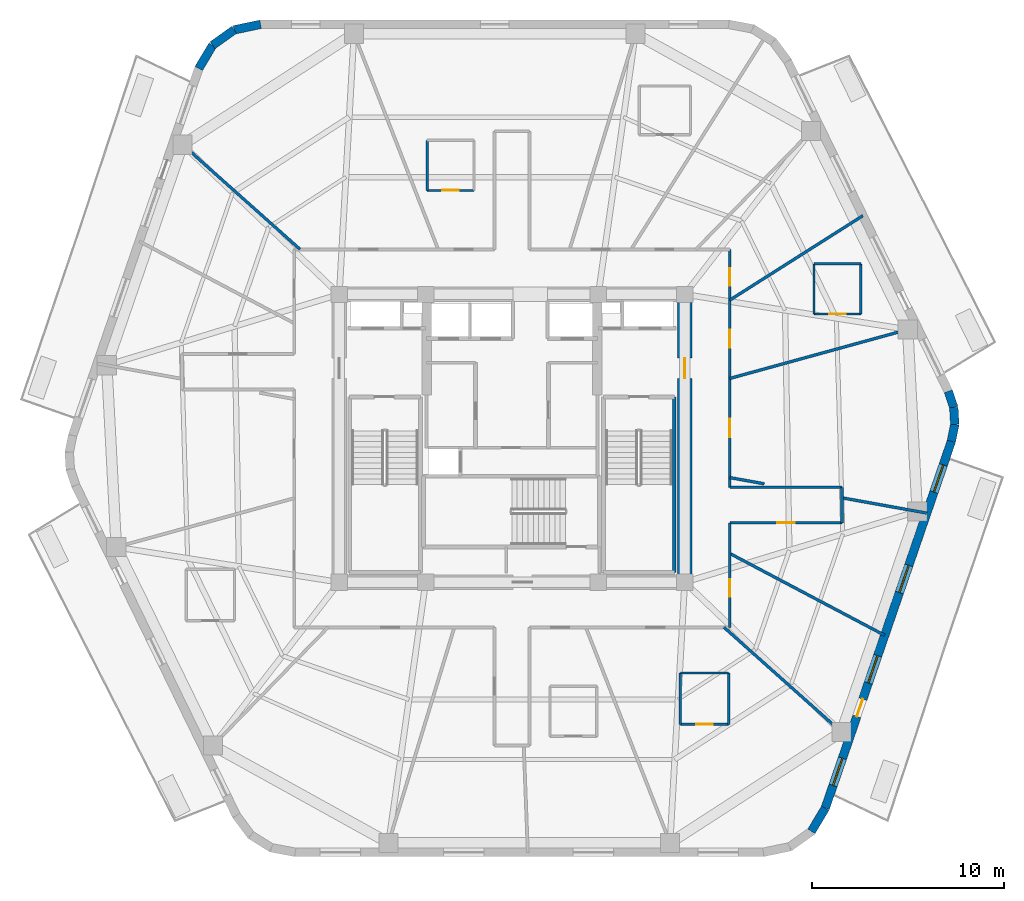
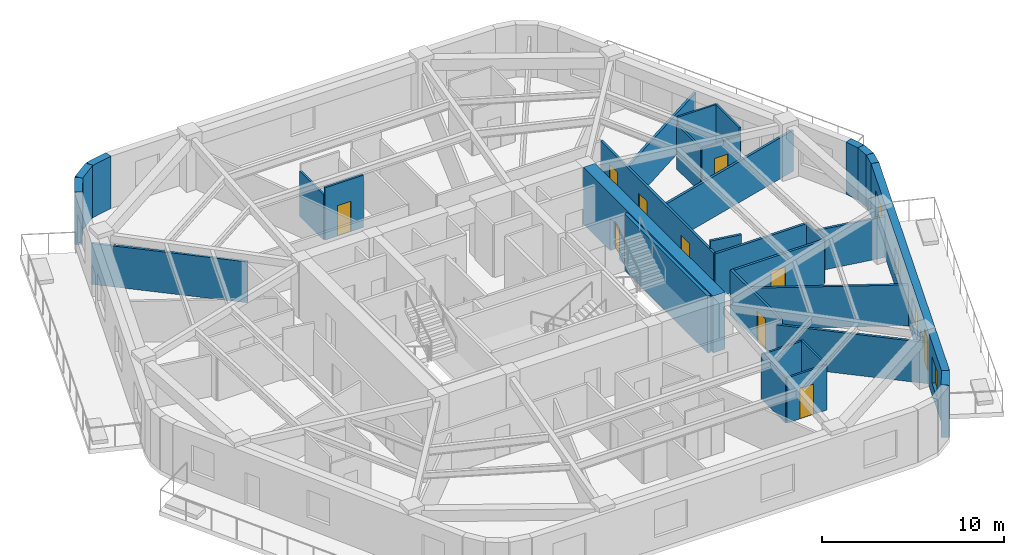
# One storey, part 5 of 9: 32 walls, 10 doors, 4 windows, 14 openings.
"""IFC4 building model written with IfcOpenShell, lengths in metres."""

from ifc_helpers import new_model, si_unit, direction, frame, frame_2d, origin, place, context, subcontext, project, spatial, rectangle, extrude, material, layer, layer_set, type_object, element, fill, save


model = new_model("IFC4")

# Units and contexts
model_context = context("Model", 3, precision=1e-05, world=origin(), true_north=direction((0.0, 1.0)))
body_context = subcontext(model_context, "Body", "Model", "MODEL_VIEW")
ifc_project = project(units=[si_unit("LENGTHUNIT", "METRE"), si_unit("AREAUNIT", "SQUARE_METRE"), si_unit("VOLUMEUNIT", "CUBIC_METRE"), si_unit("PLANEANGLEUNIT", "RADIAN"), si_unit("MASSUNIT", "GRAM", prefix="KILO")], contexts=[model_context])

# Site, building, storey
site_placement = place(None, origin())
site = spatial("IfcSite", under=ifc_project, at=site_placement, CompositionType="ELEMENT")
building_placement = place(site_placement, origin())
building = spatial("IfcBuilding", under=site, at=building_placement, Name="Kilnhurst Terrace Hotel", CompositionType="ELEMENT")
storey_placement = place(building_placement, frame((0.0, 0.0, 240.699951171875)))
storey = spatial("IfcBuildingStorey", under=building, at=storey_placement, Name="L60", CompositionType="ELEMENT", Elevation=240.699951171875)

# Walls
ifc_material_1 = material(Name="Precast concrete C40/50", Category="concrete")
ifc_layer_1 = layer(ifc_material_1, 0.449951171875, Name="Precast concrete C40/50")
ifc_layer_set_1 = layer_set([ifc_layer_1], Name="Precast concrete C40/50")
wall_type_1 = type_object("IfcWallType", Name="WL-BRK-450", PredefinedType="SOLIDWALL", material=ifc_layer_set_1)
wall_1_placement = place(storey_placement, frame((15.603515625, -20.483154296875, 0.0), z_axis=(0.0, 0.0, 1.0), x_axis=(0.512222149036, 0.858852996756, 0.0)))
element("IfcWall", 1, at=wall_1_placement, inside=storey, type_object=wall_type_1, Name="L60 Rounded Corner Brick Wall C2.3", PredefinedType="SOLIDWALL", context=body_context, shape_type="SweptSolid", body=[
    extrude(rectangle(XDim=1.406494140625, YDim=0.449951171875, at=frame_2d((0.703125, 0.0))), origin(), (0.0, 0.0, 1.0), 3.5),
])
wall_2_placement = place(storey_placement, frame((22.8984375, -0.149658203125, 0.0), z_axis=(0.0, 0.0, 1.0), x_axis=(0.199055826889, 0.979988151858, 0.0)))
element("IfcWall", 2, at=wall_2_placement, inside=storey, type_object=wall_type_1, Name="L60 Rounded Corner Brick Wall C3.1", PredefinedType="SOLIDWALL", context=body_context, shape_type="SweptSolid", body=[
    extrude(rectangle(XDim=0.89404296875, YDim=0.449951171875, at=frame_2d((0.447021484375, 0.0))), origin(), (0.0, 0.0, 1.0), 3.5),
])
wall_3_placement = place(storey_placement, frame((23.076416015625, 0.7265625, 0.0), z_axis=(0.0, 0.0, 1.0), x_axis=(-0.060805222108, 0.998149650586, 0.0)))
element("IfcWall", 3, at=wall_3_placement, inside=storey, type_object=wall_type_1, Name="L60 Rounded Corner Brick Wall C3.2", PredefinedType="SOLIDWALL", context=body_context, shape_type="SweptSolid", body=[
    extrude(rectangle(XDim=0.87939453125, YDim=0.449951171875, at=frame_2d((0.439697265625, 0.0))), origin(), (0.0, 0.0, 1.0), 3.5),
])
wall_4_placement = place(storey_placement, frame((23.02294921875, 1.604248046875, 0.0), z_axis=(0.0, 0.0, 1.0), x_axis=(-0.316801227695, 0.948491951537, 0.0)))
element("IfcWall", 4, at=wall_4_placement, inside=storey, type_object=wall_type_1, Name="L60 Rounded Corner Brick Wall C3.3", PredefinedType="SOLIDWALL", context=body_context, shape_type="SweptSolid", body=[
    extrude(rectangle(XDim=0.89404296875, YDim=0.449951171875, at=frame_2d((0.447021484375, 0.0))), origin(), (0.0, 0.0, 1.0), 3.5),
])
wall_5_placement = place(storey_placement, frame((-13.1015625, 21.574951171875, 0.0), z_axis=(0.0, 0.0, 1.0), x_axis=(-0.978757421505, -0.205021730188, 0.0)))
element("IfcWall", 5, at=wall_5_placement, inside=storey, type_object=wall_type_1, Name="L60 Rounded Corner Brick Wall C5.1", PredefinedType="SOLIDWALL", context=body_context, shape_type="SweptSolid", body=[
    extrude(rectangle(XDim=1.40625, YDim=0.449951171875, at=frame_2d((0.703125, 0.0))), origin(), (0.0, 0.0, 1.0), 3.5),
])
wall_6_placement = place(storey_placement, frame((-14.47802734375, 21.28662109375, 0.0), z_axis=(0.0, 0.0, 1.0), x_axis=(-0.813888518617, -0.58102106611, 0.0)))
element("IfcWall", 6, at=wall_6_placement, inside=storey, type_object=wall_type_1, Name="L60 Rounded Corner Brick Wall C5.2", PredefinedType="SOLIDWALL", context=body_context, shape_type="SweptSolid", body=[
    extrude(rectangle(XDim=1.3828125, YDim=0.449951171875, at=frame_2d((0.69140625, 0.0))), origin(), (0.0, 0.0, 1.0), 3.5),
])
wall_7_placement = place(storey_placement, frame((-15.603515625, 20.483154296875, 0.0), z_axis=(0.0, 0.0, 1.0), x_axis=(-0.512222149036, -0.858852996756, 0.0)))
element("IfcWall", 7, at=wall_7_placement, inside=storey, type_object=wall_type_1, Name="L60 Rounded Corner Brick Wall C5.3", PredefinedType="SOLIDWALL", context=body_context, shape_type="SweptSolid", body=[
    extrude(rectangle(XDim=1.406494140625, YDim=0.449951171875, at=frame_2d((0.703125, 0.0))), origin(), (0.0, 0.0, 1.0), 3.5),
])

# Wall, openings, door, windows
wall_8_placement = place(storey_placement, frame((16.323974609375, -19.275146484375, 0.0), z_axis=(0.0, 0.0, 1.0), x_axis=(0.325083142304, 0.945685439557, 0.0)))
wall_8 = element("IfcWall", 8, at=wall_8_placement, inside=storey, type_object=wall_type_1, Name="L60 Exterior Brick Facade Wall F2", PredefinedType="SOLIDWALL", context=body_context, shape_type="SweptSolid", body=[
    extrude(rectangle(XDim=20.223876953125, YDim=0.449951171875, at=frame_2d((10.11181640625, 0.0))), origin(), (0.0, 0.0, 1.0), 3.5),
])
opening_1_placement = place(wall_8_placement, frame((5.06201171875, 0.0, 0.0)))
opening_1 = element("IfcOpeningElement", 9, at=opening_1_placement, cuts=wall_8, Name="Opening BD-950", PredefinedType="OPENING", context=body_context, shape_type="SweptSolid", body=[
    extrude(rectangle(XDim=0.949951171875, YDim=2.14990234375, at=frame_2d((0.47509765625, 1.074951171875))), frame((0.0, 0.23486328125, 0.0), z_axis=(0.0, -1.0, 0.0), x_axis=(1.0, 0.0, 0.0)), (0.0, 0.0, 1.0), 0.469970703125),
])
opening_2_placement = place(wall_8_placement, frame((1.2529296875, 0.0, 0.800048828125)))
opening_2 = element("IfcOpeningElement", 10, at=opening_2_placement, cuts=wall_8, Name="Opening W-02", PredefinedType="OPENING", context=body_context, shape_type="SweptSolid", body=[
    extrude(rectangle(XDim=1.5, YDim=1.800048828125, at=frame_2d((0.75, 0.89990234375))), frame((0.0, 0.23486328125, 0.0), z_axis=(0.0, -1.0, 0.0), x_axis=(1.0, 0.0, 0.0)), (0.0, 0.0, 1.0), 0.469970703125),
])
opening_3_placement = place(wall_8_placement, frame((6.904052734375, 0.0, 0.800048828125)))
opening_3 = element("IfcOpeningElement", 11, at=opening_3_placement, cuts=wall_8, Name="Opening W-02", PredefinedType="OPENING", context=body_context, shape_type="SweptSolid", body=[
    extrude(rectangle(XDim=1.5, YDim=1.800048828125, at=frame_2d((0.75, 0.89990234375))), frame((0.0, 0.23486328125, 0.0), z_axis=(0.0, -1.0, 0.0), x_axis=(1.0, 0.0, 0.0)), (0.0, 0.0, 1.0), 0.469970703125),
])
opening_4_placement = place(wall_8_placement, frame((11.885009765625, 0.0, 0.800048828125)))
opening_4 = element("IfcOpeningElement", 12, at=opening_4_placement, cuts=wall_8, Name="Opening W-02", PredefinedType="OPENING", context=body_context, shape_type="SweptSolid", body=[
    extrude(rectangle(XDim=1.5, YDim=1.800048828125, at=frame_2d((0.75, 0.89990234375))), frame((0.0, 0.23486328125, 0.0), z_axis=(0.0, -1.0, 0.0), x_axis=(1.0, 0.0, 0.0)), (0.0, 0.0, 1.0), 0.469970703125),
])
opening_5_placement = place(wall_8_placement, frame((17.41796875, 0.0, 0.800048828125)))
opening_5 = element("IfcOpeningElement", 13, at=opening_5_placement, cuts=wall_8, Name="Opening W-02", PredefinedType="OPENING", context=body_context, shape_type="SweptSolid", body=[
    extrude(rectangle(XDim=1.5, YDim=1.800048828125, at=frame_2d((0.75, 0.89990234375))), frame((0.0, 0.23486328125, 0.0), z_axis=(0.0, -1.0, 0.0), x_axis=(1.0, 0.0, 0.0)), (0.0, 0.0, 1.0), 0.469970703125),
])
ifc_material_2 = material(Name="Thermally Broken Bronze Aluminium Alloy 6063-T6 and Laminated Glass", Category="aluminium")
door_type_1 = type_object("IfcDoorType", Name="DR-EXT-BAL-950", OperationType="NOTDEFINED", PredefinedType="DOOR", material=ifc_material_2)
door_1_placement = place(opening_1_placement, origin())
door_1 = element("IfcDoor", 14, at=door_1_placement, inside=storey, type_object=door_type_1, Name="L60 Planted Balcony Door BAL-L1A", OperationType="SINGLE_SWING_RIGHT", OverallHeight=2.14990234375, OverallWidth=0.949951171875, PredefinedType="DOOR", context=body_context, shape_type="SweptSolid", body=[
    extrude(rectangle(XDim=0.949951171875, YDim=2.14990234375, at=frame_2d((0.47509765625, 1.074951171875))), frame((0.0, 0.02490234375, 0.0), z_axis=(0.0, -1.0, 0.0), x_axis=(1.0, 0.0, 0.0)), (0.0, 0.0, 1.0), 0.050048828125),
])
fill(opening_1, door_1)
ifc_material_3 = material(Name="Thermally Broken Bronze Aluminium Alloy 6063-T6 and Low-E Glass", Category="aluminium")
window_type = type_object("IfcWindowType", Name="WIN-1500X1800", PartitioningType="SINGLE_PANEL", PredefinedType="WINDOW", material=ifc_material_3)
window_1_placement = place(opening_2_placement, origin())
window_1 = element("IfcWindow", 15, at=window_1_placement, inside=storey, type_object=window_type, Name="L60 Deep-Set Masonry Window F2.1", OverallHeight=1.800048828125, OverallWidth=1.5, PartitioningType="SINGLE_PANEL", PredefinedType="WINDOW", context=body_context, shape_type="SweptSolid", body=[
    extrude(rectangle(XDim=1.5, YDim=1.800048828125, at=frame_2d((0.75, 0.89990234375))), frame((0.0, 0.030029296875, 0.0), z_axis=(0.0, -1.0, 0.0), x_axis=(1.0, 0.0, 0.0)), (0.0, 0.0, 1.0), 0.06005859375),
])
fill(opening_2, window_1)
window_2_placement = place(opening_3_placement, origin())
window_2 = element("IfcWindow", 16, at=window_2_placement, inside=storey, type_object=window_type, Name="L60 Deep-Set Masonry Window F2.2", OverallHeight=1.800048828125, OverallWidth=1.5, PartitioningType="SINGLE_PANEL", PredefinedType="WINDOW", context=body_context, shape_type="SweptSolid", body=[
    extrude(rectangle(XDim=1.5, YDim=1.800048828125, at=frame_2d((0.75, 0.89990234375))), frame((0.0, 0.030029296875, 0.0), z_axis=(0.0, -1.0, 0.0), x_axis=(1.0, 0.0, 0.0)), (0.0, 0.0, 1.0), 0.06005859375),
])
fill(opening_3, window_2)
window_3_placement = place(opening_4_placement, origin())
window_3 = element("IfcWindow", 17, at=window_3_placement, inside=storey, type_object=window_type, Name="L60 Deep-Set Masonry Window F2.3", OverallHeight=1.800048828125, OverallWidth=1.5, PartitioningType="SINGLE_PANEL", PredefinedType="WINDOW", context=body_context, shape_type="SweptSolid", body=[
    extrude(rectangle(XDim=1.5, YDim=1.800048828125, at=frame_2d((0.75, 0.89990234375))), frame((0.0, 0.030029296875, 0.0), z_axis=(0.0, -1.0, 0.0), x_axis=(1.0, 0.0, 0.0)), (0.0, 0.0, 1.0), 0.06005859375),
])
fill(opening_4, window_3)
window_4_placement = place(opening_5_placement, origin())
window_4 = element("IfcWindow", 18, at=window_4_placement, inside=storey, type_object=window_type, Name="L60 Deep-Set Masonry Window F2.4", OverallHeight=1.800048828125, OverallWidth=1.5, PartitioningType="SINGLE_PANEL", PredefinedType="WINDOW", context=body_context, shape_type="SweptSolid", body=[
    extrude(rectangle(XDim=1.5, YDim=1.800048828125, at=frame_2d((0.75, 0.89990234375))), frame((0.0, 0.030029296875, 0.0), z_axis=(0.0, -1.0, 0.0), x_axis=(1.0, 0.0, 0.0)), (0.0, 0.0, 1.0), 0.06005859375),
])
fill(opening_5, window_4)

# Wall, openings, doors
ifc_material_4 = material(Name="Acoustic Double-Gypsum Corridor Partition Assembly")
ifc_layer_2 = layer(ifc_material_4, 0.14990234375, Name="Acoustic Double-Gypsum Corridor Partition Assembly")
ifc_layer_set_2 = layer_set([ifc_layer_2], Name="Acoustic Double-Gypsum Corridor Partition Assembly")
wall_type_2 = type_object("IfcWallType", Name="WL-COR-150", PredefinedType="PARTITIONING", material=ifc_layer_set_2)
wall_9_placement = place(storey_placement, frame((11.35009765625, 9.85009765625, 0.0), z_axis=(0.0, 0.0, 1.0), x_axis=(0.0, -1.0, 0.0)))
wall_9 = element("IfcWall", 19, at=wall_9_placement, inside=storey, type_object=wall_type_2, Name="L60 Interior Wall WL-L60-COR-11", PredefinedType="PARTITIONING", context=body_context, shape_type="SweptSolid", body=[
    extrude(rectangle(XDim=12.400146484375, YDim=0.14990234375, at=frame_2d((6.2001953125, 0.0))), origin(), (0.0, 0.0, 1.0), 2.989990234375),
])
opening_6_placement = place(wall_9_placement, frame((4.19091796875, 0.0, 0.0)))
opening_6 = element("IfcOpeningElement", 20, at=opening_6_placement, cuts=wall_9, Name="Opening D-60B", PredefinedType="OPENING", context=body_context, shape_type="SweptSolid", body=[
    extrude(rectangle(XDim=0.949951171875, YDim=2.030029296875, at=frame_2d((0.47509765625, 1.01513671875))), frame((0.0, 0.0849609375, 0.0), z_axis=(0.0, -1.0, 0.0), x_axis=(1.0, 0.0, 0.0)), (0.0, 0.0, 1.0), 0.169921875),
])
opening_7_placement = place(wall_9_placement, frame((0.993896484375, 0.0, 0.0)))
opening_7 = element("IfcOpeningElement", 21, at=opening_7_placement, cuts=wall_9, Name="Opening D-60C", PredefinedType="OPENING", context=body_context, shape_type="SweptSolid", body=[
    extrude(rectangle(XDim=0.89990234375, YDim=2.030029296875, at=frame_2d((0.449951171875, 1.01513671875))), frame((0.0, 0.0849609375, 0.0), z_axis=(0.0, -1.0, 0.0), x_axis=(1.0, 0.0, 0.0)), (0.0, 0.0, 1.0), 0.169921875),
])
opening_8_placement = place(wall_9_placement, frame((8.8349609375, 0.0, 0.0)))
opening_8 = element("IfcOpeningElement", 22, at=opening_8_placement, cuts=wall_9, Name="Opening D-60B", PredefinedType="OPENING", context=body_context, shape_type="SweptSolid", body=[
    extrude(rectangle(XDim=0.949951171875, YDim=2.030029296875, at=frame_2d((0.47509765625, 1.01513671875))), frame((0.0, 0.0849609375, 0.0), z_axis=(0.0, -1.0, 0.0), x_axis=(1.0, 0.0, 0.0)), (0.0, 0.0, 1.0), 0.169921875),
])
ifc_material_5 = material(Name="Painted Solid-Core Service Fire Door")
door_type_2 = type_object("IfcDoorType", Name="DR-FD60-900", OperationType="NOTDEFINED", PredefinedType="DOOR", material=ifc_material_5)
door_2_placement = place(opening_7_placement, origin())
door_2 = element("IfcDoor", 23, at=door_2_placement, inside=storey, type_object=door_type_2, Name="L60 Private Study Salon Door 2", OperationType="SINGLE_SWING_RIGHT", OverallHeight=2.030029296875, OverallWidth=0.89990234375, PredefinedType="DOOR", context=body_context, shape_type="SweptSolid", body=[
    extrude(rectangle(XDim=0.89990234375, YDim=2.030029296875, at=frame_2d((0.449951171875, 1.01513671875))), frame((0.0, 0.02490234375, 0.0), z_axis=(0.0, -1.0, 0.0), x_axis=(1.0, 0.0, 0.0)), (0.0, 0.0, 1.0), 0.050048828125),
])
fill(opening_7, door_2)
ifc_material_6 = material(Name="Acoustic Walnut Veneer Solid-Core Fire Door")
door_type_3 = type_object("IfcDoorType", Name="DR-FD60-950", OperationType="NOTDEFINED", PredefinedType="DOOR", material=ifc_material_6)
door_3_placement = place(opening_6_placement, origin())
door_3 = element("IfcDoor", 24, at=door_3_placement, inside=storey, type_object=door_type_3, Name="L60 Guest Room Entry Door 1", OperationType="SINGLE_SWING_LEFT", OverallHeight=2.030029296875, OverallWidth=0.949951171875, PredefinedType="DOOR", context=body_context, shape_type="SweptSolid", body=[
    extrude(rectangle(XDim=0.949951171875, YDim=2.030029296875, at=frame_2d((0.47509765625, 1.01513671875))), frame((0.0, 0.02490234375, 0.0), z_axis=(0.0, -1.0, 0.0), x_axis=(1.0, 0.0, 0.0)), (0.0, 0.0, 1.0), 0.050048828125),
])
fill(opening_6, door_3)
door_4_placement = place(opening_8_placement, origin())
door_4 = element("IfcDoor", 25, at=door_4_placement, inside=storey, type_object=door_type_3, Name="L60 Wellness Spa Room Door", OperationType="SINGLE_SWING_LEFT", OverallHeight=2.030029296875, OverallWidth=0.949951171875, PredefinedType="DOOR", context=body_context, shape_type="SweptSolid", body=[
    extrude(rectangle(XDim=0.949951171875, YDim=2.030029296875, at=frame_2d((0.47509765625, 1.01513671875))), frame((0.0, 0.02490234375, 0.0), z_axis=(0.0, -1.0, 0.0), x_axis=(1.0, 0.0, 0.0)), (0.0, 0.0, 1.0), 0.050048828125),
])
fill(opening_8, door_4)

# Walls
wall_10_placement = place(storey_placement, frame((11.35009765625, -2.550048828125, 0.0), z_axis=(0.0, 0.0, 1.0), x_axis=(1.0, 0.0, 0.0)))
element("IfcWall", 26, at=wall_10_placement, inside=storey, type_object=wall_type_2, Name="L60 Interior Wall WL-L60-COR-12", PredefinedType="PARTITIONING", context=body_context, shape_type="SweptSolid", body=[
    extrude(rectangle(XDim=5.849853515625, YDim=0.14990234375, at=frame_2d((2.9248046875, 0.0))), origin(), (0.0, 0.0, 1.0), 2.9404296875),
])
wall_11_placement = place(storey_placement, frame((17.199951171875, -2.550048828125, 0.0), z_axis=(0.0, 0.0, 1.0), x_axis=(0.0, -1.0, 0.0)))
element("IfcWall", 27, at=wall_11_placement, inside=storey, type_object=wall_type_2, Name="L60 Interior Wall WL-L60-COR-13", PredefinedType="PARTITIONING", context=body_context, shape_type="SweptSolid", body=[
    extrude(rectangle(XDim=1.849853515625, YDim=0.14990234375, at=frame_2d((0.9248046875, 0.0))), origin(), (0.0, 0.0, 1.0), 2.9404296875),
])

# Wall, opening, door
wall_12_placement = place(storey_placement, frame((17.199951171875, -4.39990234375, 0.0), z_axis=(0.0, 0.0, 1.0), x_axis=(-1.0, 0.0, 0.0)))
wall_12 = element("IfcWall", 28, at=wall_12_placement, inside=storey, type_object=wall_type_2, Name="L60 Interior Wall WL-L60-COR-14", PredefinedType="PARTITIONING", context=body_context, shape_type="SweptSolid", body=[
    extrude(rectangle(XDim=5.849853515625, YDim=0.14990234375, at=frame_2d((2.9248046875, 0.0))), origin(), (0.0, 0.0, 1.0), 2.9404296875),
])
opening_9_placement = place(wall_12_placement, frame((2.47509765625, 0.0, 0.0)))
opening_9 = element("IfcOpeningElement", 29, at=opening_9_placement, cuts=wall_12, Name="Opening D-60C", PredefinedType="OPENING", context=body_context, shape_type="SweptSolid", body=[
    extrude(rectangle(XDim=0.89990234375, YDim=2.030029296875, at=frame_2d((0.449951171875, 1.01513671875))), frame((0.0, 0.0849609375, 0.0), z_axis=(0.0, -1.0, 0.0), x_axis=(1.0, 0.0, 0.0)), (0.0, 0.0, 1.0), 0.169921875),
])
door_5_placement = place(opening_9_placement, origin())
door_5 = element("IfcDoor", 30, at=door_5_placement, inside=storey, type_object=door_type_2, Name="L60 Executive Work Office Door 16", OperationType="SINGLE_SWING_RIGHT", OverallHeight=2.030029296875, OverallWidth=0.89990234375, PredefinedType="DOOR", context=body_context, shape_type="SweptSolid", body=[
    extrude(rectangle(XDim=0.89990234375, YDim=2.030029296875, at=frame_2d((0.449951171875, 1.01513671875))), frame((0.0, 0.02490234375, 0.0), z_axis=(0.0, -1.0, 0.0), x_axis=(1.0, 0.0, 0.0)), (0.0, 0.0, 1.0), 0.050048828125),
])
fill(opening_9, door_5)

wall_13_placement = place(storey_placement, frame((11.35009765625, -4.39990234375, 0.0), z_axis=(0.0, 0.0, 1.0), x_axis=(0.0, -1.0, 0.0)))
wall_13 = element("IfcWall", 31, at=wall_13_placement, inside=storey, type_object=wall_type_2, Name="L60 Interior Wall WL-L60-COR-15", PredefinedType="PARTITIONING", context=body_context, shape_type="SweptSolid", body=[
    extrude(rectangle(XDim=5.4501953125, YDim=0.14990234375, at=frame_2d((2.72509765625, 0.0))), origin(), (0.0, 0.0, 1.0), 2.989990234375),
])
opening_10_placement = place(wall_13_placement, frame((2.955078125, 0.0, 0.0)))
opening_10 = element("IfcOpeningElement", 32, at=opening_10_placement, cuts=wall_13, Name="Opening D-60C", PredefinedType="OPENING", context=body_context, shape_type="SweptSolid", body=[
    extrude(rectangle(XDim=0.89990234375, YDim=2.030029296875, at=frame_2d((0.449951171875, 1.01513671875))), frame((0.0, 0.0849609375, 0.0), z_axis=(0.0, -1.0, 0.0), x_axis=(1.0, 0.0, 0.0)), (0.0, 0.0, 1.0), 0.169921875),
])
door_6_placement = place(opening_10_placement, origin())
door_6 = element("IfcDoor", 33, at=door_6_placement, inside=storey, type_object=door_type_2, Name="L60 Private Tasting Dining Room Door 15", OperationType="SINGLE_SWING_LEFT", OverallHeight=2.030029296875, OverallWidth=0.89990234375, PredefinedType="DOOR", context=body_context, shape_type="SweptSolid", body=[
    extrude(rectangle(XDim=0.89990234375, YDim=2.030029296875, at=frame_2d((0.449951171875, 1.01513671875))), frame((0.0, 0.02490234375, 0.0), z_axis=(0.0, -1.0, 0.0), x_axis=(1.0, 0.0, 0.0)), (0.0, 0.0, 1.0), 0.050048828125),
])
fill(opening_10, door_6)

ifc_material_7 = material(Name="Concrete C60/75", Category="concrete")
ifc_layer_3 = layer(ifc_material_7, 0.75, Name="Concrete C60/75")
ifc_layer_set_3 = layer_set([ifc_layer_3], Name="Concrete C60/75")
wall_type_3 = type_object("IfcWallType", Name="WL-CORE-750", PredefinedType="SHEAR", material=ifc_layer_set_3)
wall_14_placement = place(storey_placement, frame((9.0, -7.125, 0.0), z_axis=(0.0, 0.0, 1.0), x_axis=(0.0, 1.0, 0.0)))
wall_14 = element("IfcWall", 34, at=wall_14_placement, inside=storey, type_object=wall_type_3, Name="L60 Core East Shear Wall", PredefinedType="SHEAR", context=body_context, shape_type="SweptSolid", body=[
    extrude(rectangle(XDim=14.25, YDim=0.75, at=frame_2d((7.125, 0.0))), origin(), (0.0, 0.0, 1.0), 3.800048828125),
])
opening_11_placement = place(wall_14_placement, frame((10.25, 0.0, 0.0)))
opening_11 = element("IfcOpeningElement", 35, at=opening_11_placement, cuts=wall_14, Name="Opening D-90A", PredefinedType="OPENING", context=body_context, shape_type="SweptSolid", body=[
    extrude(rectangle(XDim=1.050048828125, YDim=2.14990234375, at=frame_2d((0.52490234375, 1.074951171875))), frame((0.0, 0.385009765625, 0.0), z_axis=(0.0, -1.0, 0.0), x_axis=(1.0, 0.0, 0.0)), (0.0, 0.0, 1.0), 0.77001953125),
])
ifc_material_8 = material(Name="Painted Hollow Metal Steel ASTM A36 Fire Door", Category="steel")
door_type_4 = type_object("IfcDoorType", Name="DR-FD90-1050", OperationType="NOTDEFINED", PredefinedType="DOOR", material=ifc_material_8)
door_7_placement = place(opening_11_placement, origin())
door_7 = element("IfcDoor", 36, at=door_7_placement, inside=storey, type_object=door_type_4, Name="L60 East Firefighting Lobby Door", OperationType="SINGLE_SWING_LEFT", OverallHeight=2.14990234375, OverallWidth=1.050048828125, PredefinedType="DOOR", context=body_context, shape_type="SweptSolid", body=[
    extrude(rectangle(XDim=1.050048828125, YDim=2.14990234375, at=frame_2d((0.52490234375, 1.074951171875))), frame((0.0, 0.02490234375, 0.0), z_axis=(0.0, -1.0, 0.0), x_axis=(1.0, 0.0, 0.0)), (0.0, 0.0, 1.0), 0.050048828125),
])
fill(opening_11, door_7)

# Walls
ifc_material_9 = material(Name="STC-58 Acoustic Twin-Frame Guestroom Demising Partition")
ifc_layer_4 = layer(ifc_material_9, 0.14990234375, Name="STC-58 Acoustic Twin-Frame Guestroom Demising Partition")
ifc_layer_set_4 = layer_set([ifc_layer_4], Name="STC-58 Acoustic Twin-Frame Guestroom Demising Partition")
wall_type_4 = type_object("IfcWallType", Name="WL-DEM-150", PredefinedType="PARTITIONING", material=ifc_layer_set_4)
wall_15_placement = place(storey_placement, frame((11.35009765625, 3.12060546875, 0.0), z_axis=(0.0, 0.0, 1.0), x_axis=(0.964212793822, 0.265129568758, 0.0)))
element("IfcWall", 37, at=wall_15_placement, inside=storey, type_object=wall_type_4, Name="L60 Interior Wall WL-L60-DEM-COL01-01-1", PredefinedType="PARTITIONING", context=body_context, shape_type="SweptSolid", body=[
    extrude(rectangle(XDim=10.119873046875, YDim=0.14990234375, at=frame_2d((5.06005859375, 0.0))), origin(), (0.0, 0.0, 1.0), 2.739990234375),
])
wall_16_placement = place(storey_placement, frame((11.35009765625, 7.2021484375, 0.0), z_axis=(0.0, 0.0, 1.0), x_axis=(0.844364592263, 0.535769013039, 0.0)))
element("IfcWall", 38, at=wall_16_placement, inside=storey, type_object=wall_type_4, Name="L60 Interior Wall WL-L60-DEM-MID01-02-1", PredefinedType="PARTITIONING", context=body_context, shape_type="SweptSolid", body=[
    extrude(rectangle(XDim=8.212646484375, YDim=0.14990234375, at=frame_2d((4.1064453125, 0.0))), origin(), (0.0, 0.0, 1.0), 2.739990234375),
])
for number, where, z_axis, x_axis, name in (
    (39, (-11.04833984375, 9.85009765625, 0.0), (0.0, 0.0, 1.0), (-0.746444434655, 0.665447748492, 0.0), "L60 Interior Wall WL-L60-DEM-COL05-07-1"),
    (40, (11.04833984375, -9.85009765625, 0.0), (0.0, 0.0, 1.0), (0.746444434655, -0.665447748492, 0.0), "L60 Interior Wall WL-L60-DEM-COL11-15-1"),
):
    element("IfcWall", number, at=place(storey_placement, frame(where, z_axis=z_axis, x_axis=x_axis)), inside=storey, type_object=wall_type_4, Name=name, PredefinedType="PARTITIONING", context=body_context, shape_type="SweptSolid", body=[
        extrude(rectangle(XDim=8.732177734375, YDim=0.14990234375, at=frame_2d((4.3662109375, 0.0))), origin(), (0.0, 0.0, 1.0), 2.739990234375),
    ])
wall_17_placement = place(storey_placement, frame((11.35009765625, -5.9990234375, 0.0), z_axis=(0.0, 0.0, 1.0), x_axis=(0.884112301724, -0.467274478161, 0.0)))
element("IfcWall", 41, at=wall_17_placement, inside=storey, type_object=wall_type_4, Name="L60 Interior Wall WL-L60-DEM-MID11-16-1", PredefinedType="PARTITIONING", context=body_context, shape_type="SweptSolid", body=[
    extrude(rectangle(XDim=9.129150390625, YDim=0.14990234375, at=frame_2d((4.564453125, 0.0))), origin(), (0.0, 0.0, 1.0), 2.739990234375),
])
wall_18_placement = place(storey_placement, frame((11.35009765625, -2.046142578125, 0.0), z_axis=(0.0, 0.0, 1.0), x_axis=(0.984127783205, -0.177461281195, 0.0)))
element("IfcWall", 42, at=wall_18_placement, inside=storey, type_object=wall_type_4, Name="L60 Interior Wall WL-L60-DEM-COL12-17-1", PredefinedType="PARTITIONING", context=body_context, shape_type="SweptSolid", body=[
    extrude(rectangle(XDim=1.82568359375, YDim=0.14990234375, at=frame_2d((0.912841796875, 0.0))), origin(), (0.0, 0.0, 1.0), 3.5),
])
wall_19_placement = place(storey_placement, frame((17.199951171875, -3.1005859375, 0.0), z_axis=(0.0, 0.0, 1.0), x_axis=(0.98413465883, -0.177423147559, 0.0)))
element("IfcWall", 43, at=wall_19_placement, inside=storey, type_object=wall_type_4, Name="L60 Interior Wall WL-L60-DEM-COL12-17-2", PredefinedType="PARTITIONING", context=body_context, shape_type="SweptSolid", body=[
    extrude(rectangle(XDim=4.481689453125, YDim=0.14990234375, at=frame_2d((2.24072265625, 0.0))), origin(), (0.0, 0.0, 1.0), 2.739990234375),
])

# Wall, opening, door
ifc_material_10 = material(Name="120 mm Moisture-Resistant Tile-Backed Bathroom Partition")
ifc_layer_5 = layer(ifc_material_10, 0.1201171875, Name="120 mm Moisture-Resistant Tile-Backed Bathroom Partition")
ifc_layer_set_5 = layer_set([ifc_layer_5], Name="120 mm Moisture-Resistant Tile-Backed Bathroom Partition")
wall_type_5 = type_object("IfcWallType", Name="WL-PART-120", PredefinedType="PARTITIONING", material=ifc_layer_set_5)
wall_20_placement = place(storey_placement, frame((15.736083984375, 6.47998046875, 0.0), z_axis=(0.0, 0.0, 1.0), x_axis=(1.0, 0.0, 0.0)))
wall_20 = element("IfcWall", 44, at=wall_20_placement, inside=storey, type_object=wall_type_5, Name="L60 Interior Wall WL-L60-BTH-01-1", PredefinedType="PARTITIONING", context=body_context, shape_type="SweptSolid", body=[
    extrude(rectangle(XDim=2.43994140625, YDim=0.1201171875, at=frame_2d((1.219970703125, 0.0))), origin(), (0.0, 0.0, 1.0), 2.989990234375),
])
opening_12_placement = place(wall_20_placement, frame((0.794921875, 0.0, 0.0)))
opening_12 = element("IfcOpeningElement", 45, at=opening_12_placement, cuts=wall_20, Name="Opening D-08A", PredefinedType="OPENING", context=body_context, shape_type="SweptSolid", body=[
    extrude(rectangle(XDim=0.85009765625, YDim=2.030029296875, at=frame_2d((0.425048828125, 1.01513671875))), frame((0.0, 0.070068359375, 0.0), z_axis=(0.0, -1.0, 0.0), x_axis=(1.0, 0.0, 0.0)), (0.0, 0.0, 1.0), 0.14013671875),
])
ifc_material_11 = material(Name="Moisture-Resistant Lacquered En-suite Bathroom Door")
door_type_5 = type_object("IfcDoorType", Name="DR-INT-850", OperationType="NOTDEFINED", PredefinedType="DOOR", material=ifc_material_11)
door_8_placement = place(opening_12_placement, origin())
door_8 = element("IfcDoor", 46, at=door_8_placement, inside=storey, type_object=door_type_5, Name="L60 En-suite Bathroom Door 1", OperationType="SINGLE_SWING_RIGHT", OverallHeight=2.030029296875, OverallWidth=0.85009765625, PredefinedType="DOOR", context=body_context, shape_type="SweptSolid", body=[
    extrude(rectangle(XDim=0.85009765625, YDim=2.030029296875, at=frame_2d((0.425048828125, 1.01513671875))), frame((0.0, 0.02490234375, 0.0), z_axis=(0.0, -1.0, 0.0), x_axis=(1.0, 0.0, 0.0)), (0.0, 0.0, 1.0), 0.050048828125),
])
fill(opening_12, door_8)

# Walls
wall_21_placement = place(storey_placement, frame((18.176025390625, 6.47998046875, 0.0), z_axis=(0.0, 0.0, 1.0), x_axis=(0.0, 1.0, 0.0)))
element("IfcWall", 47, at=wall_21_placement, inside=storey, type_object=wall_type_5, Name="L60 Interior Wall WL-L60-BTH-01-2", PredefinedType="PARTITIONING", context=body_context, shape_type="SweptSolid", body=[
    extrude(rectangle(XDim=2.610107421875, YDim=0.1201171875, at=frame_2d((1.30517578125, 0.0))), origin(), (0.0, 0.0, 1.0), 3.5),
])
wall_22_placement = place(storey_placement, frame((18.176025390625, 9.090087890625, 0.0), z_axis=(0.0, 0.0, 1.0), x_axis=(-1.0, 0.0, 0.0)))
element("IfcWall", 48, at=wall_22_placement, inside=storey, type_object=wall_type_5, Name="L60 Interior Wall WL-L60-BTH-01-3", PredefinedType="PARTITIONING", context=body_context, shape_type="SweptSolid", body=[
    extrude(rectangle(XDim=2.43994140625, YDim=0.1201171875, at=frame_2d((1.219970703125, 0.0))), origin(), (0.0, 0.0, 1.0), 3.5),
])
wall_23_placement = place(storey_placement, frame((15.736083984375, 9.090087890625, 0.0), z_axis=(0.0, 0.0, 1.0), x_axis=(0.0, -1.0, 0.0)))
element("IfcWall", 49, at=wall_23_placement, inside=storey, type_object=wall_type_5, Name="L60 Interior Wall WL-L60-BTH-01-4", PredefinedType="PARTITIONING", context=body_context, shape_type="SweptSolid", body=[
    extrude(rectangle(XDim=2.610107421875, YDim=0.1201171875, at=frame_2d((1.30517578125, 0.0))), origin(), (0.0, 0.0, 1.0), 2.989990234375),
])

# Wall, opening, door
wall_24_placement = place(storey_placement, frame((-4.41796875, 12.919921875, 0.0), z_axis=(0.0, 0.0, 1.0), x_axis=(1.0, 0.0, 0.0)))
wall_24 = element("IfcWall", 50, at=wall_24_placement, inside=storey, type_object=wall_type_5, Name="L60 Interior Wall WL-L60-BTH-05-1", PredefinedType="PARTITIONING", context=body_context, shape_type="SweptSolid", body=[
    extrude(rectangle(XDim=2.43994140625, YDim=0.1201171875, at=frame_2d((1.219970703125, 0.0))), origin(), (0.0, 0.0, 1.0), 3.5),
])
opening_13_placement = place(wall_24_placement, frame((0.794921875, 0.0, 0.0)))
opening_13 = element("IfcOpeningElement", 51, at=opening_13_placement, cuts=wall_24, Name="Opening D-08A", PredefinedType="OPENING", context=body_context, shape_type="SweptSolid", body=[
    extrude(rectangle(XDim=0.85009765625, YDim=2.030029296875, at=frame_2d((0.425048828125, 1.01513671875))), frame((0.0, 0.070068359375, 0.0), z_axis=(0.0, -1.0, 0.0), x_axis=(1.0, 0.0, 0.0)), (0.0, 0.0, 1.0), 0.14013671875),
])
door_9_placement = place(opening_13_placement, origin())
door_9 = element("IfcDoor", 52, at=door_9_placement, inside=storey, type_object=door_type_5, Name="L60 En-suite Bathroom Door 5", OperationType="SINGLE_SWING_RIGHT", OverallHeight=2.030029296875, OverallWidth=0.85009765625, PredefinedType="DOOR", context=body_context, shape_type="SweptSolid", body=[
    extrude(rectangle(XDim=0.85009765625, YDim=2.030029296875, at=frame_2d((0.425048828125, 1.01513671875))), frame((0.0, 0.02490234375, 0.0), z_axis=(0.0, -1.0, 0.0), x_axis=(1.0, 0.0, 0.0)), (0.0, 0.0, 1.0), 0.050048828125),
])
fill(opening_13, door_9)

# Wall
wall_25_placement = place(storey_placement, frame((-4.41796875, 15.530029296875, 0.0), z_axis=(0.0, 0.0, 1.0), x_axis=(0.0, -1.0, 0.0)))
element("IfcWall", 53, at=wall_25_placement, inside=storey, type_object=wall_type_5, Name="L60 Interior Wall WL-L60-BTH-05-4", PredefinedType="PARTITIONING", context=body_context, shape_type="SweptSolid", body=[
    extrude(rectangle(XDim=2.610107421875, YDim=0.1201171875, at=frame_2d((1.30517578125, 0.0))), origin(), (0.0, 0.0, 1.0), 3.026611328125),
])

# Wall, opening, door
wall_26_placement = place(storey_placement, frame((8.77197265625, -14.905029296875, 0.0), z_axis=(0.0, 0.0, 1.0), x_axis=(1.0, 0.0, 0.0)))
wall_26 = element("IfcWall", 54, at=wall_26_placement, inside=storey, type_object=wall_type_5, Name="L60 Interior Wall WL-L60-BTH-14-1", PredefinedType="PARTITIONING", context=body_context, shape_type="SweptSolid", body=[
    extrude(rectangle(XDim=2.52001953125, YDim=0.1201171875, at=frame_2d((1.260009765625, 0.0))), origin(), (0.0, 0.0, 1.0), 3.026611328125),
])
opening_14_placement = place(wall_26_placement, frame((0.8349609375, 0.0, 0.0)))
opening_14 = element("IfcOpeningElement", 55, at=opening_14_placement, cuts=wall_26, Name="Opening D-08A", PredefinedType="OPENING", context=body_context, shape_type="SweptSolid", body=[
    extrude(rectangle(XDim=0.85009765625, YDim=2.030029296875, at=frame_2d((0.425048828125, 1.01513671875))), frame((0.0, 0.070068359375, 0.0), z_axis=(0.0, -1.0, 0.0), x_axis=(1.0, 0.0, 0.0)), (0.0, 0.0, 1.0), 0.14013671875),
])
door_10_placement = place(opening_14_placement, origin())
door_10 = element("IfcDoor", 56, at=door_10_placement, inside=storey, type_object=door_type_5, Name="L60 En-suite Bathroom Door 14", OperationType="SINGLE_SWING_LEFT", OverallHeight=2.030029296875, OverallWidth=0.85009765625, PredefinedType="DOOR", context=body_context, shape_type="SweptSolid", body=[
    extrude(rectangle(XDim=0.85009765625, YDim=2.030029296875, at=frame_2d((0.425048828125, 1.01513671875))), frame((0.0, 0.02490234375, 0.0), z_axis=(0.0, -1.0, 0.0), x_axis=(1.0, 0.0, 0.0)), (0.0, 0.0, 1.0), 0.050048828125),
])
fill(opening_14, door_10)

# Walls
wall_27_placement = place(storey_placement, frame((11.2919921875, -14.905029296875, 0.0), z_axis=(0.0, 0.0, 1.0), x_axis=(0.0, 1.0, 0.0)))
element("IfcWall", 57, at=wall_27_placement, inside=storey, type_object=wall_type_5, Name="L60 Interior Wall WL-L60-BTH-14-2", PredefinedType="PARTITIONING", context=body_context, shape_type="SweptSolid", body=[
    extrude(rectangle(XDim=2.679931640625, YDim=0.1201171875, at=frame_2d((1.33984375, 0.0))), origin(), (0.0, 0.0, 1.0), 3.026611328125),
])
wall_28_placement = place(storey_placement, frame((11.2919921875, -12.22509765625, 0.0), z_axis=(0.0, 0.0, 1.0), x_axis=(-1.0, 0.0, 0.0)))
element("IfcWall", 58, at=wall_28_placement, inside=storey, type_object=wall_type_5, Name="L60 Interior Wall WL-L60-BTH-14-3", PredefinedType="PARTITIONING", context=body_context, shape_type="SweptSolid", body=[
    extrude(rectangle(XDim=2.52001953125, YDim=0.1201171875, at=frame_2d((1.260009765625, 0.0))), origin(), (0.0, 0.0, 1.0), 2.989990234375),
])
wall_29_placement = place(storey_placement, frame((8.77197265625, -12.22509765625, 0.0), z_axis=(0.0, 0.0, 1.0), x_axis=(0.0, -1.0, 0.0)))
element("IfcWall", 59, at=wall_29_placement, inside=storey, type_object=wall_type_5, Name="L60 Interior Wall WL-L60-BTH-14-4", PredefinedType="PARTITIONING", context=body_context, shape_type="SweptSolid", body=[
    extrude(rectangle(XDim=2.679931640625, YDim=0.1201171875, at=frame_2d((1.33984375, 0.0))), origin(), (0.0, 0.0, 1.0), 2.989990234375),
])
ifc_material_12 = material(Name="Concrete C50/60", Category="concrete")
ifc_layer_6 = layer(ifc_material_12, 0.199951171875, Name="Concrete C50/60")
ifc_layer_set_6 = layer_set([ifc_layer_6], Name="Concrete C50/60")
wall_type_6 = type_object("IfcWallType", Name="WL-STAIR-RC-200", PredefinedType="SHEAR", material=ifc_layer_set_6)
wall_30_placement = place(storey_placement, frame((8.4580078125, -6.985107421875, 0.0), z_axis=(0.0, 0.0, 1.0), x_axis=(0.0, 1.0, 0.0)))
element("IfcWall", 60, at=wall_30_placement, inside=storey, type_object=wall_type_6, Name="L60 Structural Stair Shaft Wall WL-L60-ST2-E", PredefinedType="SHEAR", context=body_context, shape_type="SweptSolid", body=[
    extrude(rectangle(XDim=9.14306640625, YDim=0.199951171875, at=frame_2d((4.571533203125, 0.0))), origin(), (0.0, 0.0, 1.0), 3.800048828125),
])

save(model, "model.ifc")
